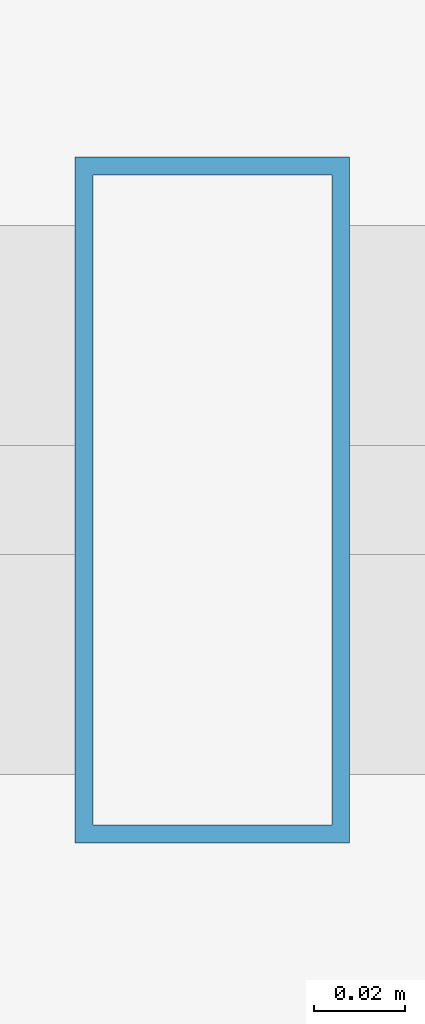
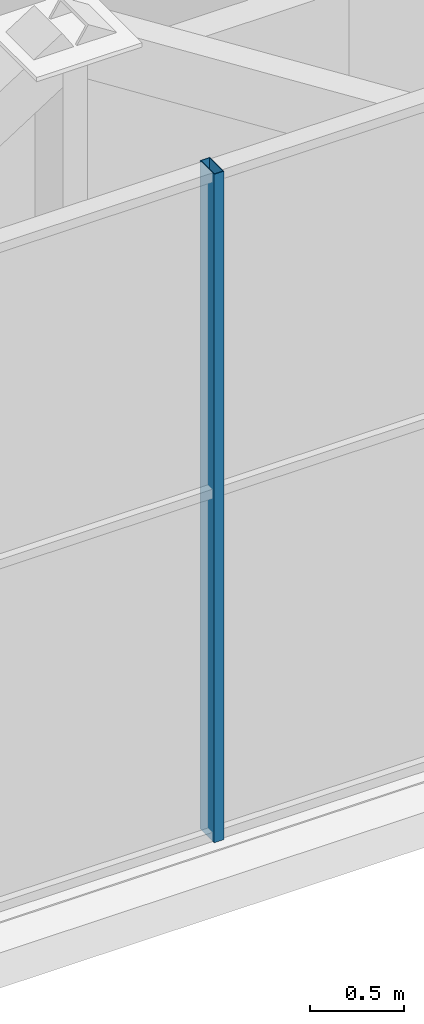
# One storey, part 7 of 26: 1 member, 1 element without a shape of its own.
"""IFC4 building model written with IfcOpenShell, lengths in metres."""

from ifc_helpers import new_model, si_unit, direction, frame, origin, origin_2d, place, context, subcontext, project, spatial, hollow_rectangle, extrude, source, transform, mapped, material, layer, layer_set, material_profile, profile_set, type_object, element, aggregate, save


model = new_model("IFC4")

# Units and contexts
model_context = context("Model", 3, precision=1e-05, world=origin(), true_north=direction((0.0, 1.0)))
body_context = subcontext(model_context, "Body", "Model", "MODEL_VIEW")
ifc_project = project(units=[si_unit("LENGTHUNIT", "METRE"), si_unit("AREAUNIT", "SQUARE_METRE"), si_unit("VOLUMEUNIT", "CUBIC_METRE"), si_unit("PLANEANGLEUNIT", "RADIAN"), si_unit("MASSUNIT", "GRAM", prefix="KILO")], contexts=[model_context])

# Site, building, storey
site_placement = place(None, origin())
site = spatial("IfcSite", under=ifc_project, at=site_placement, CompositionType="ELEMENT")
building_placement = place(site_placement, origin())
building = spatial("IfcBuilding", under=site, at=building_placement, Name="Zarnakvel Exchange Tower", CompositionType="ELEMENT")
storey_placement = place(building_placement, frame((0.0, 0.0, 280.800048828125)))
storey = spatial("IfcBuildingStorey", under=building, at=storey_placement, Name="Crown L79", CompositionType="ELEMENT", Elevation=280.800048828125)

# Curtain wall, member
ifc_material = material(Name="Architectural Bronze Anodised Aluminium", Category="aluminium")
ifc_layer = layer(ifc_material, 0.14990234375)
ifc_layer_set = layer_set([ifc_layer], Name="Architectural Bronze Anodised Aluminium")
curtain_wall_type = type_object("IfcCurtainWallType", Name="CW-07", PredefinedType="NOTDEFINED", material=ifc_layer_set)
curtain_wall_placement = place(storey_placement, origin())
curtain_wall = element("IfcCurtainWall", 1, at=curtain_wall_placement, inside=storey, type_object=curtain_wall_type, Name="Crown L79 Curtain Wall CW-Crown L79-S (CW-07)", PredefinedType="NOTDEFINED")
ifc_material_profile = material_profile(ifc_material, hollow_rectangle(XDim=0.14990234375, YDim=0.06005859375, WallThickness=0.00390625, at=origin_2d()))
ifc_profile_set = profile_set([ifc_material_profile], Name="Architectural Bronze Anodised Aluminium")
member_type = type_object("IfcMemberType", Name="CWM-07", PredefinedType="MULLION", material=ifc_profile_set)
shared_shape = source(origin(), body_context, "Body", "SweptSolid", [
    extrude(hollow_rectangle(XDim=0.14990234375, YDim=0.06005859375, WallThickness=0.00390625, at=origin_2d()), origin(), (0.0, 0.0, 1.0), 4.35986328125),
])
member_placement = place(storey_placement, frame((0.0, -16.159912109375, 0.0), z_axis=(0.0, 0.0, 1.0), x_axis=(0.0, 1.0, 0.0)))
member = element("IfcMember", 2, at=member_placement, type_object=member_type, Name="CW-07 mullion 4", PredefinedType="MULLION", context=body_context, shape_type="MappedRepresentation", body=[
    mapped(shared_shape, transform((0.0, 0.0, 0.0), x_axis=(1.0, 0.0, 0.0), y_axis=(0.0, 1.0, 0.0), z_axis=(0.0, 0.0, 1.0), scale=1.0)),
])
aggregate(curtain_wall, [member])

save(model, "model.ifc")
